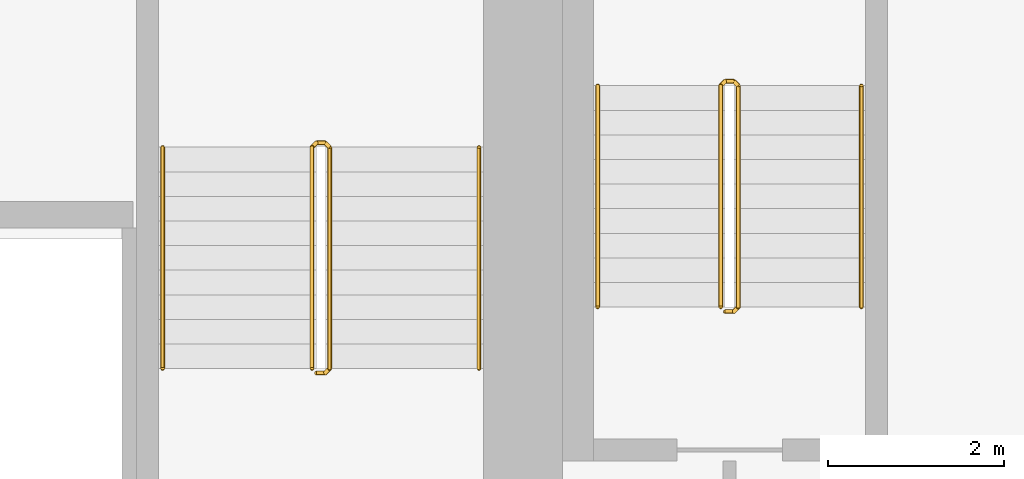
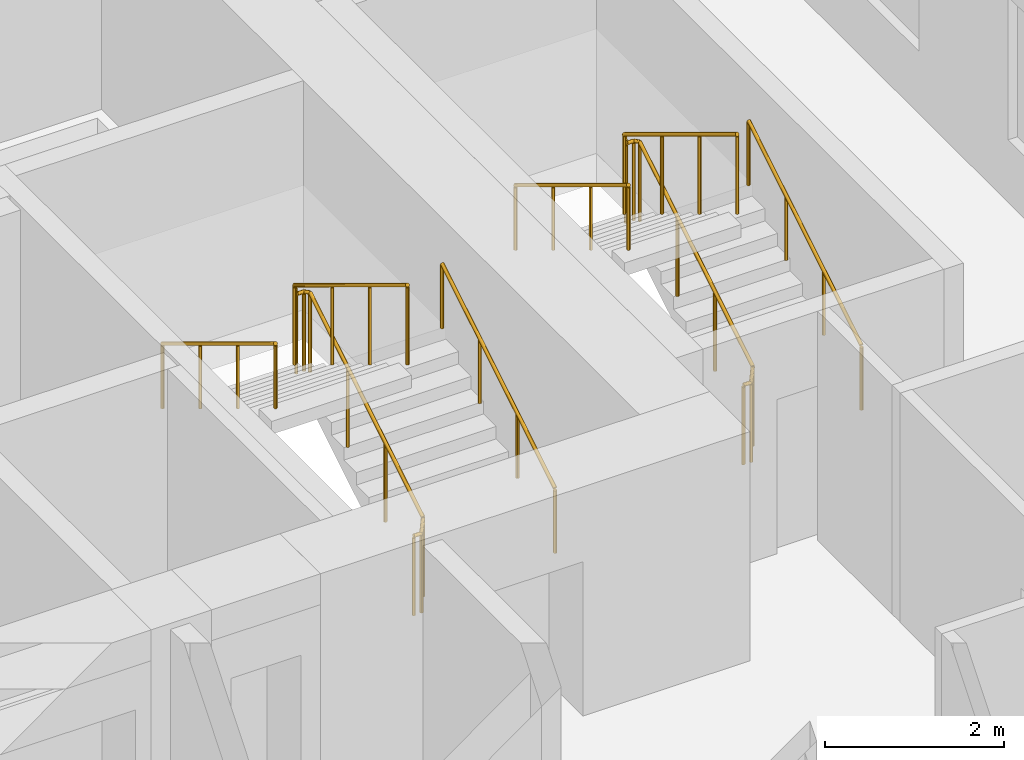
# One storey, part 16 of 16: 6 railings.
"""IFC4 building model written with IfcOpenShell, lengths in metres."""

import ifcopenshell
import ifcopenshell.guid

model = None  # the IFC model being written
_history = None  # IfcOwnerHistory: only IFC2X3 demands one
_inside = {}  # id of a spatial element -> (the spatial element, [elements in it])
_under = {}  # id of a project, library or spatial element -> (it, [spatial elements below it])
_declared = {}  # id of a project -> (the project, [libraries it declares])
_typed = {}  # id of a type object -> (the type object, [elements of that type])
_made_of = {}  # id of a material, layer set ... -> (it, [elements and type objects made of it])


def new_model(schema):
    """Start an empty IFC model of exactly this schema.

    Asked for "IFC4X3", IfcOpenShell would pick the latest addendum, in which some entities
    have other attributes; the version numbers below select the first issue.
    IFC2X3 requires an IfcOwnerHistory on every rooted entity: one is made here for all.
    """
    global model, _history
    if schema == "IFC4X3":
        model = ifcopenshell.file(schema_version=(4, 3, 0, 0))
    else:
        model = ifcopenshell.file(schema=schema)
    _inside.clear()
    _under.clear()
    _declared.clear()
    _typed.clear()
    _made_of.clear()
    _history = None
    if model.schema == "IFC2X3":
        org = make("IfcOrganization", Name="unknown")
        user = make(
            "IfcPersonAndOrganization",
            ThePerson=make("IfcPerson", FamilyName="unknown"),
            TheOrganization=org,
        )
        app = make(
            "IfcApplication",
            ApplicationDeveloper=org,
            Version="unknown",
            ApplicationFullName="unknown",
            ApplicationIdentifier="unknown",
        )
        _history = make(
            "IfcOwnerHistory",
            OwningUser=user,
            OwningApplication=app,
            ChangeAction="ADDED",
            CreationDate=0,
        )
    return model


def make(cls, **values):
    """One entity of the class cls with the attributes given. An attribute that is None is left unset."""
    return model.create_entity(
        cls, **{name: value for name, value in values.items() if value is not None}
    )


def rooted(cls, **values):
    """An entity with a GlobalId (a new one), such as an element, a storey or a relation."""
    return make(cls, GlobalId=ifcopenshell.guid.new(), OwnerHistory=_history, **values)


def si_unit(unit_type, name, prefix=None):
    """IfcSIUnit, for example si_unit("LENGTHUNIT", "METRE", prefix="MILLI")."""
    return make("IfcSIUnit", UnitType=unit_type, Prefix=prefix, Name=name)


def assignment(units):
    """IfcUnitAssignment: the units of a project."""
    return None if units is None else make("IfcUnitAssignment", Units=units)


def point(xyz):
    """IfcCartesianPoint."""
    return None if xyz is None else make("IfcCartesianPoint", Coordinates=xyz)


def direction(xyz):
    """IfcDirection."""
    return None if xyz is None else make("IfcDirection", DirectionRatios=xyz)


def frame(location, z_axis=None, x_axis=None):
    """IfcAxis2Placement3D, a coordinate frame: its origin and axes. An axis left out is left unset."""
    return make(
        "IfcAxis2Placement3D",
        Location=point(location),
        Axis=direction(z_axis),
        RefDirection=direction(x_axis),
    )


def frame_2d(location, x_axis=None):
    """IfcAxis2Placement2D, a coordinate frame in the plane: its origin and x axis."""
    return make(
        "IfcAxis2Placement2D", Location=point(location), RefDirection=direction(x_axis)
    )


def origin():
    """The frame at (0, 0, 0) with its axes left unset."""
    return frame((0.0, 0.0, 0.0))


def origin_2d():
    """The frame at (0, 0) in the plane with its x axis left unset."""
    return frame_2d((0.0, 0.0))


def place(relative_to, where):
    """IfcLocalPlacement: puts the frame where relative to a parent placement (None: the world)."""
    return make(
        "IfcLocalPlacement", PlacementRelTo=relative_to, RelativePlacement=where
    )


def context(
    kind, dimensions, precision=None, world=None, true_north=None, identifier=None
):
    """IfcGeometricRepresentationContext, for example the 3D "Model" context."""
    return make(
        "IfcGeometricRepresentationContext",
        ContextIdentifier=identifier,
        ContextType=kind,
        CoordinateSpaceDimension=dimensions,
        Precision=precision,
        WorldCoordinateSystem=world,
        TrueNorth=true_north,
    )


def subcontext(parent, identifier, kind, view, scale=None):
    """IfcGeometricRepresentationSubContext, for example "Body" below "Model"."""
    return make(
        "IfcGeometricRepresentationSubContext",
        ContextIdentifier=identifier,
        ContextType=kind,
        ParentContext=parent,
        TargetScale=scale,
        TargetView=view,
    )


def project(units=None, contexts=None):
    """IfcProject with its units and contexts."""
    return rooted(
        "IfcProject",
        Name="project",
        RepresentationContexts=contexts,
        UnitsInContext=assignment(units),
    )


def spatial(cls, under=None, at=None, **own):
    """A site, building, storey or space (cls), placed at a placement, below another one or the project."""
    s = rooted(cls, ObjectPlacement=at, **own)
    if under is not None:
        _under.setdefault(under.id(), (under, []))[1].append(s)
    return s


def profile(cls, at=None, kind="AREA", **sizes):
    """A parametric profile (cls). Its sizes go by their IFC names, for example OverallWidth=200.0."""
    return make(cls, ProfileType=kind, Position=at, **sizes)


def circle(**sizes):
    """IfcCircleProfileDef."""
    return profile("IfcCircleProfileDef", **sizes)


def extrude(swept, where, along, depth):
    """IfcExtrudedAreaSolid: the profile swept, set in the frame where, extruded along a direction by depth."""
    return make(
        "IfcExtrudedAreaSolid",
        SweptArea=swept,
        Position=where,
        ExtrudedDirection=direction(along),
        Depth=depth,
    )


def shape(context_of_items, identifier, shape_type, items):
    """IfcShapeRepresentation: the items that make up one representation, for example the "Body"."""
    return make(
        "IfcShapeRepresentation",
        ContextOfItems=context_of_items,
        RepresentationIdentifier=identifier,
        RepresentationType=shape_type,
        Items=items,
    )


def material(Name=None, Category=None):
    """IfcMaterial."""
    return make("IfcMaterial", Name=Name, Category=Category)


def made_of(thing, what):
    """Note that an element or type object is made of a material, layer set ...; save() writes the relation."""
    if what is not None:
        _made_of.setdefault(what.id(), (what, []))[1].append(thing)
    return thing


def type_object(cls, material=None, **own):
    """A type object (cls), such as IfcWallType, which elements share."""
    return made_of(rooted(cls, **own), material)


def element(
    cls,
    number,
    at=None,
    inside=None,
    cuts=None,
    type_object=None,
    material=None,
    context=None,
    identifier="Body",
    shape_type=None,
    held_by="IfcProductDefinitionShape",
    body=None,
    shapes=None,
    **own,
):
    """One element of the class cls, such as IfcWall. Its Tag is "e" and its number.

    at: its placement. inside: the storey or other place that contains it. cuts: it is an
    opening in that element (IfcRelVoidsElement). A single representation is given by context,
    identifier, shape_type and body (its items); several are given by shapes. held_by: the class
    of the entity that holds the representations. save() writes the other relations.
    """
    e = rooted(cls, Tag="e%d" % number, ObjectPlacement=at, **own)
    if body is not None:
        shapes = [shape(context, identifier, shape_type, body)]
    if shapes is not None:
        e.Representation = make(held_by, Representations=shapes)
    if inside is not None:
        _inside.setdefault(inside.id(), (inside, []))[1].append(e)
    if cuts is not None:
        rooted(
            "IfcRelVoidsElement", RelatingBuildingElement=cuts, RelatedOpeningElement=e
        )
    if type_object is not None:
        _typed.setdefault(type_object.id(), (type_object, []))[1].append(e)
    return made_of(e, material)


def aggregate(whole, parts):
    """IfcRelAggregates: a whole, such as a stair, and the parts it consists of."""
    return rooted("IfcRelAggregates", RelatingObject=whole, RelatedObjects=parts)


def save(model, path):
    """Write the relations noted so far, then the file.

    IfcRelAggregates (storeys below a building ...), IfcRelContainedInSpatialStructure (elements
    in a storey), IfcRelDefinesByType, IfcRelAssociatesMaterial and IfcRelDeclares: one each for
    every whole, place, type object, material and project.
    """
    for whole, parts in _under.values():
        aggregate(whole, parts)
    for where, things in _inside.values():
        rooted(
            "IfcRelContainedInSpatialStructure",
            RelatedElements=things,
            RelatingStructure=where,
        )
    for kind, things in _typed.values():
        rooted("IfcRelDefinesByType", RelatedObjects=things, RelatingType=kind)
    for what, things in _made_of.values():
        rooted("IfcRelAssociatesMaterial", RelatedObjects=things, RelatingMaterial=what)
    for by, libraries in _declared.values():
        rooted("IfcRelDeclares", RelatingContext=by, RelatedDefinitions=libraries)
    model.write(path)


model = new_model("IFC4")

# Units and contexts
model_context = context("Model", 3, precision=1e-05, world=origin(), true_north=direction((0.0, 1.0)))
body_context = subcontext(model_context, "Body", "Model", "MODEL_VIEW")
ifc_project = project(units=[si_unit("LENGTHUNIT", "METRE"), si_unit("AREAUNIT", "SQUARE_METRE"), si_unit("VOLUMEUNIT", "CUBIC_METRE"), si_unit("PLANEANGLEUNIT", "RADIAN"), si_unit("MASSUNIT", "GRAM", prefix="KILO")], contexts=[model_context])

# Site, building, storey
site_placement = place(None, origin())
site = spatial("IfcSite", under=ifc_project, at=site_placement, CompositionType="ELEMENT")
building_placement = place(site_placement, origin())
building = spatial("IfcBuilding", under=site, at=building_placement, Name="Kilnfold Tower and Market Hall", CompositionType="ELEMENT")
storey_placement = place(building_placement, frame((0.0, 0.0, 168.5)))
storey = spatial("IfcBuildingStorey", under=building, at=storey_placement, Name="L39", CompositionType="ELEMENT", Elevation=168.5)

# Railings
ifc_material_1 = material(Name="Stainless steel 316", Category="steel")
railing_type_1 = type_object("IfcRailingType", Name="CORE STAIR GUARD 1100", PredefinedType="GUARDRAIL", material=ifc_material_1)
railing_1_placement = place(storey_placement, frame((15.199951171875, 10.75, 0.0)))
element("IfcRailing", 1, at=railing_1_placement, inside=storey, type_object=railing_type_1, Name="L39 ST2 stair guard 1", PredefinedType="GUARDRAIL", context=body_context, shape_type="SweptSolid", body=[
    extrude(circle(Radius=0.02392578125, at=origin_2d()), frame((0.0, 0.0, 1.076171875), z_axis=(1.0, 0.0, 0.0), x_axis=(0.0, 1.0, 0.0)), (0.0, 0.0, 1.0), 0.10009765625),
    extrude(circle(Radius=0.02392578125, at=origin_2d()), frame((0.10009765625, 0.0, 1.076171875), z_axis=(0.271895245746, 0.271895245746, 0.923117517265), x_axis=(-0.707106781187, 0.707106781187, 0.0)), (0.0, 0.0, 1.0), 0.18408203125),
    extrude(circle(Radius=0.02392578125, at=origin_2d()), frame((0.150146484375, 0.050048828125, 1.24609375), z_axis=(0.0, 0.85478489116, 0.518982456201), x_axis=(-1.0, 0.0, 0.0)), (0.0, 0.0, 1.0), 2.9482421875),
    extrude(circle(Radius=0.02392578125, at=origin_2d()), frame((0.150146484375, 2.570068359375, 2.77587890625), z_axis=(-0.707106781187, 0.707106781187, 0.0), x_axis=(-0.707106781187, -0.707106781187, 0.0)), (0.0, 0.0, 1.0), 0.07080078125),
    extrude(circle(Radius=0.02392578125, at=origin_2d()), frame((0.10009765625, 2.6201171875, 2.77587890625), z_axis=(-1.0, 0.0, 0.0), x_axis=(0.0, -1.0, 0.0)), (0.0, 0.0, 1.0), 0.10009765625),
    extrude(circle(Radius=0.02392578125, at=origin_2d()), frame((0.0, 2.6201171875, 2.77587890625), z_axis=(-0.271562723297, -0.271562723297, 0.923313259209), x_axis=(0.707106781187, -0.707106781187, 0.0)), (0.0, 0.0, 1.0), 0.184326171875),
    extrude(circle(Radius=0.02392578125, at=origin_2d()), frame((-0.050048828125, 2.570068359375, 2.9462890625), z_axis=(0.0, -0.854821627497, 0.518921945155), x_axis=(1.0, 0.0, 0.0)), (0.0, 0.0, 1.0), 2.947998046875),
    extrude(circle(Radius=0.02099609375, at=origin_2d()), origin(), (0.0, 0.0, 1.0), 1.052001953125),
    extrude(circle(Radius=0.02099609375, at=origin_2d()), frame((0.10009765625, 0.0, 0.0)), (0.0, 0.0, 1.0), 1.052001953125),
    extrude(circle(Radius=0.02099609375, at=origin_2d()), frame((0.150146484375, 0.050048828125, 0.169921875)), (0.0, 0.0, 1.0), 1.052001953125),
    extrude(circle(Radius=0.02099609375, at=origin_2d()), frame((0.150146484375, 0.89013671875, 0.679931640625)), (0.0, 0.0, 1.0), 1.052001953125),
    extrude(circle(Radius=0.02099609375, at=origin_2d()), frame((0.150146484375, 1.72998046875, 1.18994140625)), (0.0, 0.0, 1.0), 1.052001953125),
    extrude(circle(Radius=0.02099609375, at=origin_2d()), frame((0.150146484375, 2.570068359375, 1.699951171875)), (0.0, 0.0, 1.0), 1.052001953125),
    extrude(circle(Radius=0.02099609375, at=origin_2d()), frame((0.10009765625, 2.6201171875, 1.699951171875)), (0.0, 0.0, 1.0), 1.052001953125),
    extrude(circle(Radius=0.02099609375, at=origin_2d()), frame((0.0, 2.6201171875, 1.699951171875)), (0.0, 0.0, 1.0), 1.052001953125),
    extrude(circle(Radius=0.02099609375, at=origin_2d()), frame((-0.050048828125, 2.570068359375, 1.8701171875)), (0.0, 0.0, 1.0), 1.052001953125),
    extrude(circle(Radius=0.02099609375, at=origin_2d()), frame((-0.050048828125, 1.72998046875, 2.380126953125)), (0.0, 0.0, 1.0), 1.052001953125),
    extrude(circle(Radius=0.02099609375, at=origin_2d()), frame((-0.050048828125, 0.89013671875, 2.889892578125)), (0.0, 0.0, 1.0), 1.052001953125),
    extrude(circle(Radius=0.02099609375, at=origin_2d()), frame((-0.050048828125, 0.050048828125, 3.39990234375)), (0.0, 0.0, 1.0), 1.052001953125),
])
railing_2_placement = place(storey_placement, frame((19.85009765625, 11.449951171875, 0.0)))
element("IfcRailing", 2, at=railing_2_placement, inside=storey, type_object=railing_type_1, Name="L39 ST5 stair guard 1", PredefinedType="GUARDRAIL", context=body_context, shape_type="SweptSolid", body=[
    extrude(circle(Radius=0.02392578125, at=origin_2d()), frame((0.0, 0.0, 1.076171875), z_axis=(1.0, 0.0, 0.0), x_axis=(0.0, 1.0, 0.0)), (0.0, 0.0, 1.0), 0.099853515625),
    extrude(circle(Radius=0.02392578125, at=origin_2d()), frame((0.099853515625, 0.0, 1.076171875), z_axis=(0.271895245746, 0.271895245746, 0.923117517265), x_axis=(-0.707106781187, 0.707106781187, 0.0)), (0.0, 0.0, 1.0), 0.18408203125),
    extrude(circle(Radius=0.02392578125, at=origin_2d()), frame((0.14990234375, 0.050048828125, 1.24609375), z_axis=(0.0, 0.85478489116, 0.518982456201), x_axis=(-1.0, 0.0, 0.0)), (0.0, 0.0, 1.0), 2.9482421875),
    extrude(circle(Radius=0.02392578125, at=origin_2d()), frame((0.14990234375, 2.570068359375, 2.77587890625), z_axis=(-0.707106781187, 0.707106781187, 0.0), x_axis=(-0.707106781187, -0.707106781187, 0.0)), (0.0, 0.0, 1.0), 0.07080078125),
    extrude(circle(Radius=0.02392578125, at=origin_2d()), frame((0.099853515625, 2.6201171875, 2.77587890625), z_axis=(-1.0, 0.0, 0.0), x_axis=(0.0, -1.0, 0.0)), (0.0, 0.0, 1.0), 0.099853515625),
    extrude(circle(Radius=0.02392578125, at=origin_2d()), frame((0.0, 2.6201171875, 2.77587890625), z_axis=(-0.271562723297, -0.271562723297, 0.923313259209), x_axis=(0.707106781187, -0.707106781187, 0.0)), (0.0, 0.0, 1.0), 0.184326171875),
    extrude(circle(Radius=0.02392578125, at=origin_2d()), frame((-0.050048828125, 2.570068359375, 2.9462890625), z_axis=(0.0, -0.854821627497, 0.518921945155), x_axis=(1.0, 0.0, 0.0)), (0.0, 0.0, 1.0), 2.947998046875),
    extrude(circle(Radius=0.02099609375, at=origin_2d()), origin(), (0.0, 0.0, 1.0), 1.052001953125),
    extrude(circle(Radius=0.02099609375, at=origin_2d()), frame((0.099853515625, 0.0, 0.0)), (0.0, 0.0, 1.0), 1.052001953125),
    extrude(circle(Radius=0.02099609375, at=origin_2d()), frame((0.14990234375, 0.050048828125, 0.169921875)), (0.0, 0.0, 1.0), 1.052001953125),
    extrude(circle(Radius=0.02099609375, at=origin_2d()), frame((0.14990234375, 0.89013671875, 0.679931640625)), (0.0, 0.0, 1.0), 1.052001953125),
    extrude(circle(Radius=0.02099609375, at=origin_2d()), frame((0.14990234375, 1.72998046875, 1.18994140625)), (0.0, 0.0, 1.0), 1.052001953125),
    extrude(circle(Radius=0.02099609375, at=origin_2d()), frame((0.14990234375, 2.570068359375, 1.699951171875)), (0.0, 0.0, 1.0), 1.052001953125),
    extrude(circle(Radius=0.02099609375, at=origin_2d()), frame((0.099853515625, 2.6201171875, 1.699951171875)), (0.0, 0.0, 1.0), 1.052001953125),
    extrude(circle(Radius=0.02099609375, at=origin_2d()), frame((0.0, 2.6201171875, 1.699951171875)), (0.0, 0.0, 1.0), 1.052001953125),
    extrude(circle(Radius=0.02099609375, at=origin_2d()), frame((-0.050048828125, 2.570068359375, 1.8701171875)), (0.0, 0.0, 1.0), 1.052001953125),
    extrude(circle(Radius=0.02099609375, at=origin_2d()), frame((-0.050048828125, 1.72998046875, 2.380126953125)), (0.0, 0.0, 1.0), 1.052001953125),
    extrude(circle(Radius=0.02099609375, at=origin_2d()), frame((-0.050048828125, 0.89013671875, 2.889892578125)), (0.0, 0.0, 1.0), 1.052001953125),
    extrude(circle(Radius=0.02099609375, at=origin_2d()), frame((-0.050048828125, 0.050048828125, 3.39990234375)), (0.0, 0.0, 1.0), 1.052001953125),
])
ifc_material_2 = material(Name="Stainless steel 316", Category="steel")
railing_type_2 = type_object("IfcRailingType", Name="CORE STAIR HANDRAIL 900", PredefinedType="HANDRAIL", material=ifc_material_2)
railing_3_placement = place(storey_placement, frame((17.050048828125, 10.800048828125, 0.169921875)))
element("IfcRailing", 3, at=railing_3_placement, inside=storey, type_object=railing_type_2, Name="L39 ST2 stair handrail 1", PredefinedType="HANDRAIL", context=body_context, shape_type="SweptSolid", body=[
    extrude(circle(Radius=0.02392578125, at=origin_2d()), frame((0.0, 0.0, 0.8759765625), z_axis=(0.0, 0.85478489116, 0.518982456201), x_axis=(-1.0, 0.0, 0.0)), (0.0, 0.0, 1.0), 2.9482421875),
    extrude(circle(Radius=0.02099609375, at=origin_2d()), origin(), (0.0, 0.0, 1.0), 0.851806640625),
    extrude(circle(Radius=0.02099609375, at=origin_2d()), frame((0.0, 0.840087890625, 0.510009765625)), (0.0, 0.0, 1.0), 0.851806640625),
    extrude(circle(Radius=0.02099609375, at=origin_2d()), frame((0.0, 1.679931640625, 1.02001953125)), (0.0, 0.0, 1.0), 0.851806640625),
    extrude(circle(Radius=0.02099609375, at=origin_2d()), frame((0.0, 2.52001953125, 1.530029296875)), (0.0, 0.0, 1.0), 0.851806640625),
])
railing_4_placement = place(storey_placement, frame((13.449951171875, 13.320068359375, 1.8701171875)))
element("IfcRailing", 4, at=railing_4_placement, inside=storey, type_object=railing_type_2, Name="L39 ST2 stair handrail 2", PredefinedType="HANDRAIL", context=body_context, shape_type="SweptSolid", body=[
    extrude(circle(Radius=0.02392578125, at=origin_2d()), frame((0.0, 0.0, 0.8759765625), z_axis=(0.0, -0.854821627497, 0.518921945155), x_axis=(1.0, 0.0, 0.0)), (0.0, 0.0, 1.0), 2.947998046875),
    extrude(circle(Radius=0.02099609375, at=origin_2d()), origin(), (0.0, 0.0, 1.0), 0.851806640625),
    extrude(circle(Radius=0.02099609375, at=origin_2d()), frame((0.0, -0.840087890625, 0.510009765625)), (0.0, 0.0, 1.0), 0.851806640625),
    extrude(circle(Radius=0.02099609375, at=origin_2d()), frame((0.0, -1.679931640625, 1.019775390625)), (0.0, 0.0, 1.0), 0.851806640625),
    extrude(circle(Radius=0.02099609375, at=origin_2d()), frame((0.0, -2.52001953125, 1.52978515625)), (0.0, 0.0, 1.0), 0.851806640625),
])
railing_5_placement = place(storey_placement, frame((21.39990234375, 11.5, 0.169921875)))
element("IfcRailing", 5, at=railing_5_placement, inside=storey, type_object=railing_type_2, Name="L39 ST5 stair handrail 1", PredefinedType="HANDRAIL", context=body_context, shape_type="SweptSolid", body=[
    extrude(circle(Radius=0.02392578125, at=origin_2d()), frame((0.0, 0.0, 0.8759765625), z_axis=(0.0, 0.85478489116, 0.518982456201), x_axis=(-1.0, 0.0, 0.0)), (0.0, 0.0, 1.0), 2.9482421875),
    extrude(circle(Radius=0.02099609375, at=origin_2d()), origin(), (0.0, 0.0, 1.0), 0.851806640625),
    extrude(circle(Radius=0.02099609375, at=origin_2d()), frame((0.0, 0.840087890625, 0.510009765625)), (0.0, 0.0, 1.0), 0.851806640625),
    extrude(circle(Radius=0.02099609375, at=origin_2d()), frame((0.0, 1.679931640625, 1.02001953125)), (0.0, 0.0, 1.0), 0.851806640625),
    extrude(circle(Radius=0.02099609375, at=origin_2d()), frame((0.0, 2.52001953125, 1.530029296875)), (0.0, 0.0, 1.0), 0.851806640625),
])
railing_6_placement = place(storey_placement, frame((18.39990234375, 14.02001953125, 1.8701171875)))
element("IfcRailing", 6, at=railing_6_placement, inside=storey, type_object=railing_type_2, Name="L39 ST5 stair handrail 2", PredefinedType="HANDRAIL", context=body_context, shape_type="SweptSolid", body=[
    extrude(circle(Radius=0.02392578125, at=origin_2d()), frame((0.0, 0.0, 0.8759765625), z_axis=(0.0, -0.854821627497, 0.518921945155), x_axis=(1.0, 0.0, 0.0)), (0.0, 0.0, 1.0), 2.947998046875),
    extrude(circle(Radius=0.02099609375, at=origin_2d()), origin(), (0.0, 0.0, 1.0), 0.851806640625),
    extrude(circle(Radius=0.02099609375, at=origin_2d()), frame((0.0, -0.840087890625, 0.510009765625)), (0.0, 0.0, 1.0), 0.851806640625),
    extrude(circle(Radius=0.02099609375, at=origin_2d()), frame((0.0, -1.679931640625, 1.019775390625)), (0.0, 0.0, 1.0), 0.851806640625),
    extrude(circle(Radius=0.02099609375, at=origin_2d()), frame((0.0, -2.52001953125, 1.52978515625)), (0.0, 0.0, 1.0), 0.851806640625),
])

save(model, "model.ifc")
